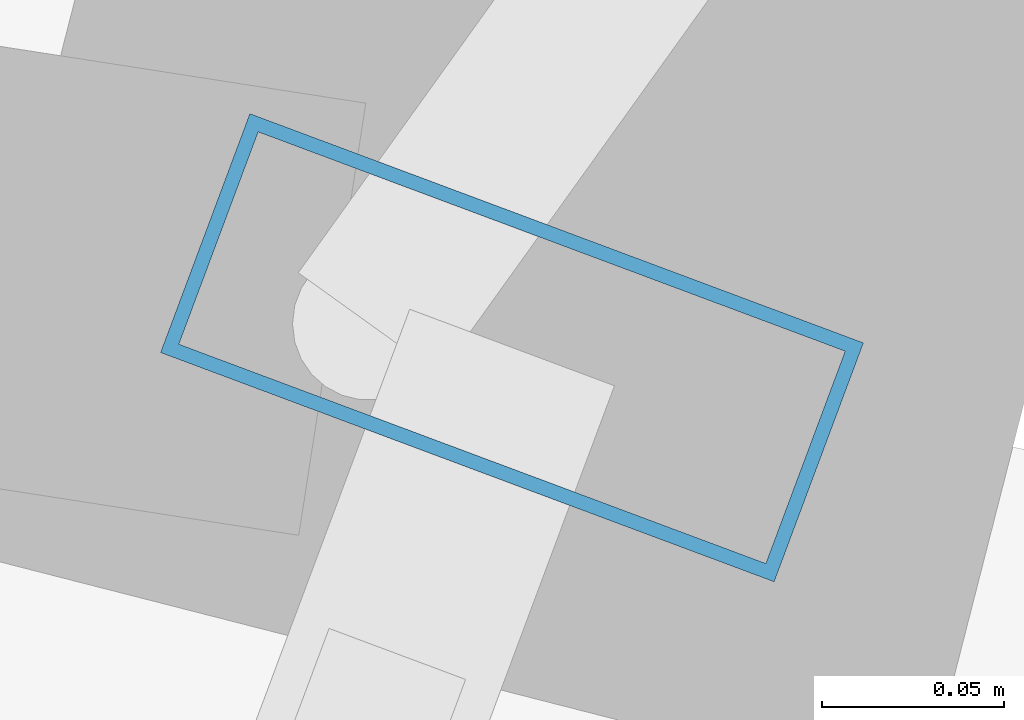
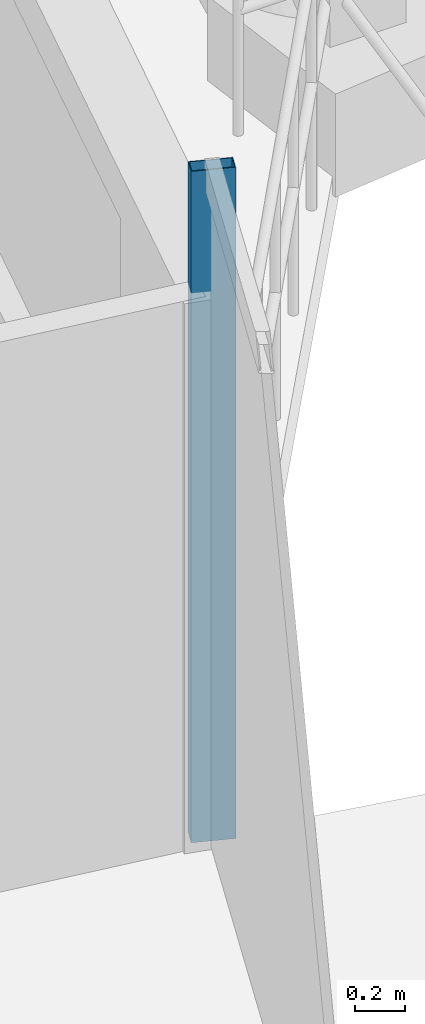
# One storey, part 12 of 23: 1 member, 1 element without a shape of its own.
"""IFC4 building model written with IfcOpenShell, lengths in metres."""

from ifc_helpers import new_model, si_unit, direction, frame, origin, origin_2d, place, context, subcontext, project, spatial, hollow_rectangle, extrude, material, layer, layer_set, material_profile, profile_set, type_object, element, aggregate, save


model = new_model("IFC4")

# Units and contexts
model_context = context("Model", 3, precision=1e-05, world=origin(), true_north=direction((0.0, 1.0)))
body_context = subcontext(model_context, "Body", "Model", "MODEL_VIEW")
ifc_project = project(units=[si_unit("LENGTHUNIT", "METRE"), si_unit("AREAUNIT", "SQUARE_METRE"), si_unit("VOLUMEUNIT", "CUBIC_METRE"), si_unit("PLANEANGLEUNIT", "RADIAN"), si_unit("MASSUNIT", "GRAM", prefix="KILO")], contexts=[model_context])

# Site, building, storey
site_placement = place(None, origin())
site = spatial("IfcSite", under=ifc_project, at=site_placement, CompositionType="ELEMENT")
building_placement = place(site_placement, origin())
building = spatial("IfcBuilding", under=site, at=building_placement, Name="Veldorina Hangang Commons", CompositionType="ELEMENT")
storey_placement = place(building_placement, frame((0.0, 0.0, 102.39990234375)))
storey = spatial("IfcBuildingStorey", under=building, at=storey_placement, Name="L26", CompositionType="ELEMENT", Elevation=102.39990234375)

# Curtain wall, member
ifc_material_1 = material(Name="Glass Low-E Triple IGU", Category="glass")
ifc_layer = layer(ifc_material_1, 0.179931640625)
ifc_layer_set = layer_set([ifc_layer], Name="Glass Low-E Triple IGU")
curtain_wall_type = type_object("IfcCurtainWallType", Name="CW-SYS-Z1", PredefinedType="NOTDEFINED", material=ifc_layer_set)
curtain_wall_placement = place(storey_placement, origin())
curtain_wall = element("IfcCurtainWall", 1, at=curtain_wall_placement, inside=storey, type_object=curtain_wall_type, Name="L26 unitised curtain wall CW-L26-R2", PredefinedType="NOTDEFINED")
ifc_material_2 = material(Name="Aluminium Anodized AA6063-T6", Category="aluminium")
ifc_material_profile = material_profile(ifc_material_2, hollow_rectangle(XDim=0.070068359375, YDim=0.179931640625, WallThickness=0.00390625, at=origin_2d()), Name="ALU-RHS-180x70x4")
ifc_profile_set = profile_set([ifc_material_profile], Name="Aluminium Anodized AA6063-T6")
member_type = type_object("IfcMemberType", Name="CW-MUL-180", PredefinedType="MULLION", material=ifc_profile_set)
member_placement = place(storey_placement, frame((57.794189453125, 19.833984375, 0.0), z_axis=(0.0, 0.0, 1.0), x_axis=(-0.349978498615, -0.936757733092, 0.0)))
member = element("IfcMember", 2, at=member_placement, type_object=member_type, Name="CW-L26-R2 vertical mullion 5", PredefinedType="MULLION", context=body_context, shape_type="SweptSolid", body=[
    extrude(hollow_rectangle(XDim=0.070068359375, YDim=0.179931640625, WallThickness=0.00390625, at=origin_2d()), origin(), (0.0, 0.0, 1.0), 3.260009765625),
])
aggregate(curtain_wall, [member])

save(model, "model.ifc")
